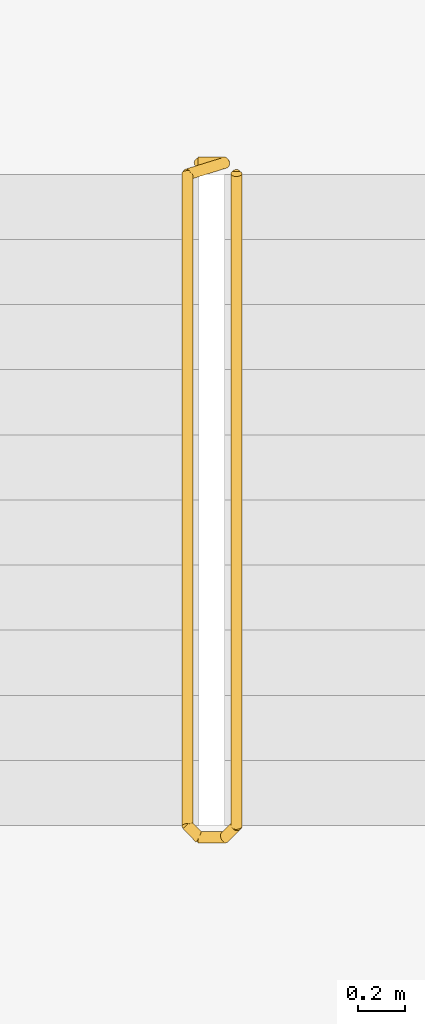
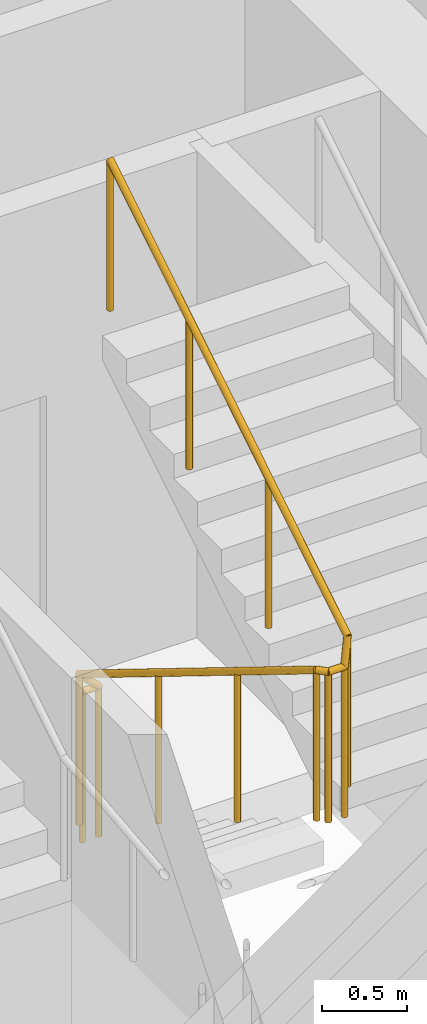
# One storey, part 24 of 24: 1 railing.
"""IFC4 building model written with IfcOpenShell, lengths in metres."""

import ifcopenshell
import ifcopenshell.guid

model = None  # the IFC model being written
_history = None  # IfcOwnerHistory: only IFC2X3 demands one
_inside = {}  # id of a spatial element -> (the spatial element, [elements in it])
_under = {}  # id of a project, library or spatial element -> (it, [spatial elements below it])
_declared = {}  # id of a project -> (the project, [libraries it declares])
_typed = {}  # id of a type object -> (the type object, [elements of that type])
_made_of = {}  # id of a material, layer set ... -> (it, [elements and type objects made of it])


def new_model(schema):
    """Start an empty IFC model of exactly this schema.

    Asked for "IFC4X3", IfcOpenShell would pick the latest addendum, in which some entities
    have other attributes; the version numbers below select the first issue.
    IFC2X3 requires an IfcOwnerHistory on every rooted entity: one is made here for all.
    """
    global model, _history
    if schema == "IFC4X3":
        model = ifcopenshell.file(schema_version=(4, 3, 0, 0))
    else:
        model = ifcopenshell.file(schema=schema)
    _inside.clear()
    _under.clear()
    _declared.clear()
    _typed.clear()
    _made_of.clear()
    _history = None
    if model.schema == "IFC2X3":
        org = make("IfcOrganization", Name="unknown")
        user = make(
            "IfcPersonAndOrganization",
            ThePerson=make("IfcPerson", FamilyName="unknown"),
            TheOrganization=org,
        )
        app = make(
            "IfcApplication",
            ApplicationDeveloper=org,
            Version="unknown",
            ApplicationFullName="unknown",
            ApplicationIdentifier="unknown",
        )
        _history = make(
            "IfcOwnerHistory",
            OwningUser=user,
            OwningApplication=app,
            ChangeAction="ADDED",
            CreationDate=0,
        )
    return model


def make(cls, **values):
    """One entity of the class cls with the attributes given. An attribute that is None is left unset."""
    return model.create_entity(
        cls, **{name: value for name, value in values.items() if value is not None}
    )


def rooted(cls, **values):
    """An entity with a GlobalId (a new one), such as an element, a storey or a relation."""
    return make(cls, GlobalId=ifcopenshell.guid.new(), OwnerHistory=_history, **values)


def si_unit(unit_type, name, prefix=None):
    """IfcSIUnit, for example si_unit("LENGTHUNIT", "METRE", prefix="MILLI")."""
    return make("IfcSIUnit", UnitType=unit_type, Prefix=prefix, Name=name)


def assignment(units):
    """IfcUnitAssignment: the units of a project."""
    return None if units is None else make("IfcUnitAssignment", Units=units)


def point(xyz):
    """IfcCartesianPoint."""
    return None if xyz is None else make("IfcCartesianPoint", Coordinates=xyz)


def direction(xyz):
    """IfcDirection."""
    return None if xyz is None else make("IfcDirection", DirectionRatios=xyz)


def frame(location, z_axis=None, x_axis=None):
    """IfcAxis2Placement3D, a coordinate frame: its origin and axes. An axis left out is left unset."""
    return make(
        "IfcAxis2Placement3D",
        Location=point(location),
        Axis=direction(z_axis),
        RefDirection=direction(x_axis),
    )


def frame_2d(location, x_axis=None):
    """IfcAxis2Placement2D, a coordinate frame in the plane: its origin and x axis."""
    return make(
        "IfcAxis2Placement2D", Location=point(location), RefDirection=direction(x_axis)
    )


def origin():
    """The frame at (0, 0, 0) with its axes left unset."""
    return frame((0.0, 0.0, 0.0))


def origin_2d():
    """The frame at (0, 0) in the plane with its x axis left unset."""
    return frame_2d((0.0, 0.0))


def place(relative_to, where):
    """IfcLocalPlacement: puts the frame where relative to a parent placement (None: the world)."""
    return make(
        "IfcLocalPlacement", PlacementRelTo=relative_to, RelativePlacement=where
    )


def context(
    kind, dimensions, precision=None, world=None, true_north=None, identifier=None
):
    """IfcGeometricRepresentationContext, for example the 3D "Model" context."""
    return make(
        "IfcGeometricRepresentationContext",
        ContextIdentifier=identifier,
        ContextType=kind,
        CoordinateSpaceDimension=dimensions,
        Precision=precision,
        WorldCoordinateSystem=world,
        TrueNorth=true_north,
    )


def subcontext(parent, identifier, kind, view, scale=None):
    """IfcGeometricRepresentationSubContext, for example "Body" below "Model"."""
    return make(
        "IfcGeometricRepresentationSubContext",
        ContextIdentifier=identifier,
        ContextType=kind,
        ParentContext=parent,
        TargetScale=scale,
        TargetView=view,
    )


def project(units=None, contexts=None):
    """IfcProject with its units and contexts."""
    return rooted(
        "IfcProject",
        Name="project",
        RepresentationContexts=contexts,
        UnitsInContext=assignment(units),
    )


def spatial(cls, under=None, at=None, **own):
    """A site, building, storey or space (cls), placed at a placement, below another one or the project."""
    s = rooted(cls, ObjectPlacement=at, **own)
    if under is not None:
        _under.setdefault(under.id(), (under, []))[1].append(s)
    return s


def profile(cls, at=None, kind="AREA", **sizes):
    """A parametric profile (cls). Its sizes go by their IFC names, for example OverallWidth=200.0."""
    return make(cls, ProfileType=kind, Position=at, **sizes)


def circle(**sizes):
    """IfcCircleProfileDef."""
    return profile("IfcCircleProfileDef", **sizes)


def extrude(swept, where, along, depth):
    """IfcExtrudedAreaSolid: the profile swept, set in the frame where, extruded along a direction by depth."""
    return make(
        "IfcExtrudedAreaSolid",
        SweptArea=swept,
        Position=where,
        ExtrudedDirection=direction(along),
        Depth=depth,
    )


def shape(context_of_items, identifier, shape_type, items):
    """IfcShapeRepresentation: the items that make up one representation, for example the "Body"."""
    return make(
        "IfcShapeRepresentation",
        ContextOfItems=context_of_items,
        RepresentationIdentifier=identifier,
        RepresentationType=shape_type,
        Items=items,
    )


def material(Name=None, Category=None):
    """IfcMaterial."""
    return make("IfcMaterial", Name=Name, Category=Category)


def made_of(thing, what):
    """Note that an element or type object is made of a material, layer set ...; save() writes the relation."""
    if what is not None:
        _made_of.setdefault(what.id(), (what, []))[1].append(thing)
    return thing


def type_object(cls, material=None, **own):
    """A type object (cls), such as IfcWallType, which elements share."""
    return made_of(rooted(cls, **own), material)


def element(
    cls,
    number,
    at=None,
    inside=None,
    cuts=None,
    type_object=None,
    material=None,
    context=None,
    identifier="Body",
    shape_type=None,
    held_by="IfcProductDefinitionShape",
    body=None,
    shapes=None,
    **own,
):
    """One element of the class cls, such as IfcWall. Its Tag is "e" and its number.

    at: its placement. inside: the storey or other place that contains it. cuts: it is an
    opening in that element (IfcRelVoidsElement). A single representation is given by context,
    identifier, shape_type and body (its items); several are given by shapes. held_by: the class
    of the entity that holds the representations. save() writes the other relations.
    """
    e = rooted(cls, Tag="e%d" % number, ObjectPlacement=at, **own)
    if body is not None:
        shapes = [shape(context, identifier, shape_type, body)]
    if shapes is not None:
        e.Representation = make(held_by, Representations=shapes)
    if inside is not None:
        _inside.setdefault(inside.id(), (inside, []))[1].append(e)
    if cuts is not None:
        rooted(
            "IfcRelVoidsElement", RelatingBuildingElement=cuts, RelatedOpeningElement=e
        )
    if type_object is not None:
        _typed.setdefault(type_object.id(), (type_object, []))[1].append(e)
    return made_of(e, material)


def aggregate(whole, parts):
    """IfcRelAggregates: a whole, such as a stair, and the parts it consists of."""
    return rooted("IfcRelAggregates", RelatingObject=whole, RelatedObjects=parts)


def save(model, path):
    """Write the relations noted so far, then the file.

    IfcRelAggregates (storeys below a building ...), IfcRelContainedInSpatialStructure (elements
    in a storey), IfcRelDefinesByType, IfcRelAssociatesMaterial and IfcRelDeclares: one each for
    every whole, place, type object, material and project.
    """
    for whole, parts in _under.values():
        aggregate(whole, parts)
    for where, things in _inside.values():
        rooted(
            "IfcRelContainedInSpatialStructure",
            RelatedElements=things,
            RelatingStructure=where,
        )
    for kind, things in _typed.values():
        rooted("IfcRelDefinesByType", RelatedObjects=things, RelatingType=kind)
    for what, things in _made_of.values():
        rooted("IfcRelAssociatesMaterial", RelatedObjects=things, RelatingMaterial=what)
    for by, libraries in _declared.values():
        rooted("IfcRelDeclares", RelatingContext=by, RelatedDefinitions=libraries)
    model.write(path)


model = new_model("IFC4")

# Units and contexts
model_context = context("Model", 3, precision=1e-05, world=origin(), true_north=direction((0.0, 1.0)))
body_context = subcontext(model_context, "Body", "Model", "MODEL_VIEW")
ifc_project = project(units=[si_unit("LENGTHUNIT", "METRE"), si_unit("AREAUNIT", "SQUARE_METRE"), si_unit("VOLUMEUNIT", "CUBIC_METRE"), si_unit("PLANEANGLEUNIT", "RADIAN"), si_unit("MASSUNIT", "GRAM", prefix="KILO")], contexts=[model_context])

# Site, building, storey
site_placement = place(None, origin())
site = spatial("IfcSite", under=ifc_project, at=site_placement, CompositionType="ELEMENT")
building_placement = place(site_placement, origin())
building = spatial("IfcBuilding", under=site, at=building_placement, Name="Tessera Arch", CompositionType="ELEMENT")
storey_placement = place(building_placement, frame((0.0, 0.0, 38.60009765625)))
storey = spatial("IfcBuildingStorey", under=building, at=storey_placement, Name="L07", CompositionType="ELEMENT", Elevation=38.60009765625)

# Railing
ifc_material = material(Name="Painted steel balustrade", Category="steel")
railing_type = type_object("IfcRailingType", Name="Stair guard 1100", PredefinedType="GUARDRAIL", material=ifc_material)
railing_placement = place(storey_placement, frame((44.919921875, 43.6298828125, 0.0)))
element("IfcRailing", 1, at=railing_placement, inside=storey, type_object=railing_type, Name="L07 S1c stair guard 1", PredefinedType="GUARDRAIL", context=body_context, shape_type="SweptSolid", body=[
    extrude(circle(Radius=0.02392578125, at=origin_2d()), frame((-0.00390625, 0.0, 1.076171875), z_axis=(1.0, 0.0, 0.0), x_axis=(0.0, 1.0, 0.0)), (0.0, 0.0, 1.0), 0.1181640625),
    extrude(circle(Radius=0.02392578125, at=origin_2d()), frame((0.11279296875, 0.000732421875, 1.0732421875), z_axis=(-0.664883824791, -0.207078321004, 0.717668494851), x_axis=(0.297361876254, -0.954764847777, 0.0)), (0.0, 0.0, 1.0), 0.24853515625),
    extrude(circle(Radius=0.02392578125, at=origin_2d()), frame((-0.0498046875, -0.04638671875, 1.24658203125), z_axis=(0.0, -0.851089632645, 0.525020415988), x_axis=(1.0, 0.0, 0.0)), (0.0, 0.0, 1.0), 3.2978515625),
    extrude(circle(Radius=0.02392578125, at=origin_2d()), frame((-0.052734375, -2.846923828125, 2.97607421875), z_axis=(0.705375805398, -0.708833529934, 0.0), x_axis=(0.708833529934, 0.705375805398, 0.0)), (0.0, 0.0, 1.0), 0.07861328125),
    extrude(circle(Radius=0.02392578125, at=origin_2d()), frame((-0.00390625, -2.89990234375, 2.97607421875), z_axis=(1.0, 0.0, 0.0), x_axis=(0.0, 1.0, 0.0)), (0.0, 0.0, 1.0), 0.1181640625),
    extrude(circle(Radius=0.02392578125, at=origin_2d()), frame((0.109130859375, -2.90087890625, 2.97216796875), z_axis=(0.268277960024, 0.268277960024, 0.925231793839), x_axis=(-0.707106781187, 0.707106781187, 0.0)), (0.0, 0.0, 1.0), 0.194580078125),
    extrude(circle(Radius=0.02392578125, at=origin_2d()), frame((0.16015625, -2.853271484375, 3.146484375), z_axis=(0.0, 0.851089632645, 0.525020415988), x_axis=(-1.0, 0.0, 0.0)), (0.0, 0.0, 1.0), 3.2978515625),
    extrude(circle(Radius=0.02099609375, at=origin_2d()), origin(), (0.0, 0.0, 1.0), 1.06396484375),
    extrude(circle(Radius=0.02099609375, at=origin_2d()), frame((0.110107421875, 0.0, 0.0)), (0.0, 0.0, 1.0), 1.06396484375),
    extrude(circle(Radius=0.02099609375, at=origin_2d()), frame((-0.0498046875, -0.0498046875, 0.172607421875)), (0.0, 0.0, 1.0), 1.06396484375),
    extrude(circle(Radius=0.02099609375, at=origin_2d()), frame((-0.0498046875, -0.983154296875, 0.748291015625)), (0.0, 0.0, 1.0), 1.06396484375),
    extrude(circle(Radius=0.02099609375, at=origin_2d()), frame((-0.0498046875, -1.91650390625, 1.32421875)), (0.0, 0.0, 1.0), 1.06396484375),
    extrude(circle(Radius=0.02099609375, at=origin_2d()), frame((-0.0498046875, -2.849853515625, 1.89990234375)), (0.0, 0.0, 1.0), 1.06396484375),
    extrude(circle(Radius=0.02099609375, at=origin_2d()), frame((0.0, -2.89990234375, 1.89990234375)), (0.0, 0.0, 1.0), 1.06396484375),
    extrude(circle(Radius=0.02099609375, at=origin_2d()), frame((0.110107421875, -2.89990234375, 1.89990234375)), (0.0, 0.0, 1.0), 1.06396484375),
    extrude(circle(Radius=0.02099609375, at=origin_2d()), frame((0.16015625, -2.849853515625, 2.072509765625)), (0.0, 0.0, 1.0), 1.06396484375),
    extrude(circle(Radius=0.02099609375, at=origin_2d()), frame((0.16015625, -1.91650390625, 2.648193359375)), (0.0, 0.0, 1.0), 1.06396484375),
    extrude(circle(Radius=0.02099609375, at=origin_2d()), frame((0.16015625, -0.983154296875, 3.22412109375)), (0.0, 0.0, 1.0), 1.06396484375),
    extrude(circle(Radius=0.02099609375, at=origin_2d()), frame((0.16015625, -0.0498046875, 3.7998046875)), (0.0, 0.0, 1.0), 1.06396484375),
])

save(model, "model.ifc")
